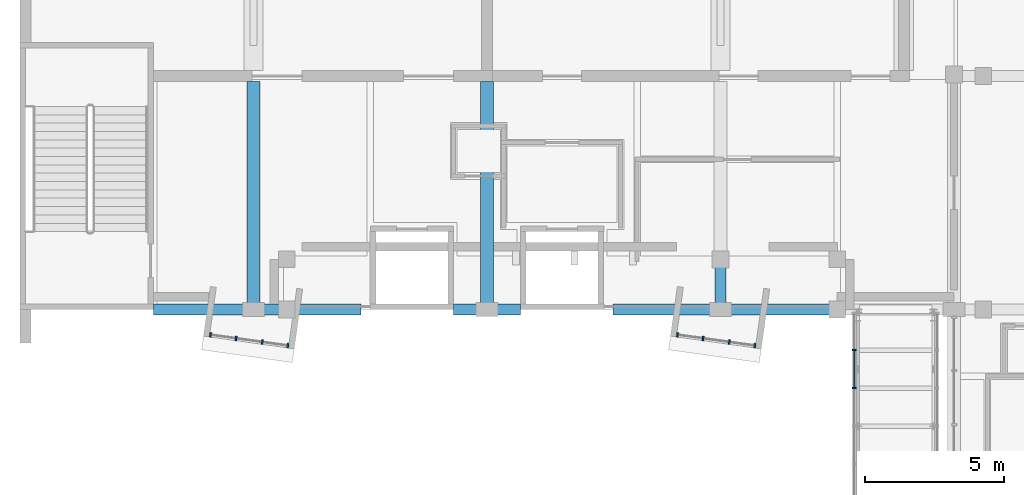
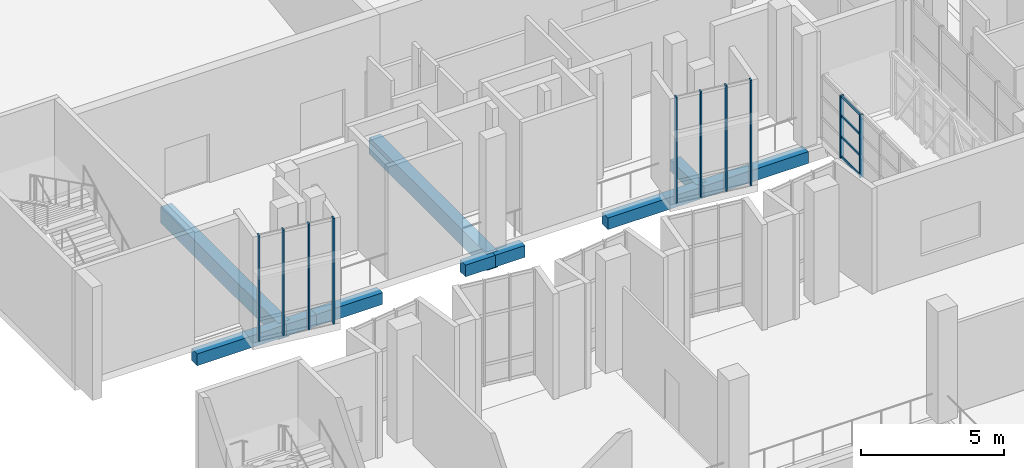
# One storey, part 10 of 86: 14 members, 10 beams, 3 elements without a shape of their own.
"""IFC4 building model written with IfcOpenShell, lengths in metres."""

from ifc_helpers import new_model, si_unit, direction, frame, origin, origin_2d, place, context, subcontext, project, spatial, rectangle, extrude, material, layer, layer_set, material_profile, profile_set, type_object, element, aggregate, save


model = new_model("IFC4")

# Units and contexts
model_context = context("Model", 3, precision=1e-05, world=origin(), true_north=direction((0.0, 1.0)))
body_context = subcontext(model_context, "Body", "Model", "MODEL_VIEW")
ifc_project = project(units=[si_unit("LENGTHUNIT", "METRE"), si_unit("AREAUNIT", "SQUARE_METRE"), si_unit("VOLUMEUNIT", "CUBIC_METRE"), si_unit("PLANEANGLEUNIT", "RADIAN"), si_unit("MASSUNIT", "GRAM", prefix="KILO")], contexts=[model_context])

# Site, building, storey
site_placement = place(None, origin())
site = spatial("IfcSite", under=ifc_project, at=site_placement, CompositionType="ELEMENT")
building_placement = place(site_placement, origin())
building = spatial("IfcBuilding", under=site, at=building_placement, Name="Kiln Court Media Centre", CompositionType="ELEMENT")
storey_placement = place(building_placement, frame((0.0, 0.0, 10.199951171875)))
storey = spatial("IfcBuildingStorey", under=building, at=storey_placement, Name="L02", CompositionType="ELEMENT", Elevation=10.199951171875)

# Curtain wall, members
ifc_material_1 = material(Name="Aluminium 6063-T6", Category="aluminium")
ifc_layer_1 = layer(ifc_material_1, 0.1201171875)
ifc_layer_set_1 = layer_set([ifc_layer_1], Name="Aluminium unitised curtain wall, bridge")
curtain_wall_type_1 = type_object("IfcCurtainWallType", Name="Aluminium unitised curtain wall, bridge", PredefinedType="USERDEFINED", material=ifc_layer_set_1)
curtain_wall_1_placement = place(storey_placement, origin())
curtain_wall_1 = element("IfcCurtainWall", 1, at=curtain_wall_1_placement, inside=storey, type_object=curtain_wall_type_1, Name="BR-1 side glazing", ObjectType="UNITISED CURTAIN WALL", PredefinedType="USERDEFINED")
ifc_material_2 = material(Name="Aluminium 6063-T6", Category="aluminium")
ifc_material_profile_1 = material_profile(ifc_material_2, rectangle(XDim=0.050048828125, YDim=0.139892578125, at=origin_2d()), Name="Aluminium hall mullion 50x140")
ifc_profile_set_1 = profile_set([ifc_material_profile_1], Name="Aluminium 6063-T6")
member_type_1 = type_object("IfcMemberType", Name="Aluminium hall mullion 50x140", PredefinedType="MULLION", material=ifc_profile_set_1)
member_1_placement = place(storey_placement, frame((30.014892578125, 30.7666015625, 0.0), z_axis=(0.0, 0.0, 1.0), x_axis=(0.0, 1.0, 0.0)))
member_1 = element("IfcMember", 2, at=member_1_placement, type_object=member_type_1, Name="CW2-63 mullion 5", PredefinedType="MULLION", context=body_context, shape_type="SweptSolid", body=[
    extrude(rectangle(XDim=0.050048828125, YDim=0.139892578125, at=origin_2d()), origin(), (0.0, 0.0, 1.0), 2.675048828125),
])
member_2_placement = place(storey_placement, frame((30.014892578125, 32.13330078125, 0.0), z_axis=(0.0, 0.0, 1.0), x_axis=(0.0, 1.0, 0.0)))
member_2 = element("IfcMember", 3, at=member_2_placement, type_object=member_type_1, Name="CW2-63 mullion 6", PredefinedType="MULLION", context=body_context, shape_type="SweptSolid", body=[
    extrude(rectangle(XDim=0.050048828125, YDim=0.139892578125, at=origin_2d()), origin(), (0.0, 0.0, 1.0), 2.675048828125),
])
ifc_material_3 = material(Name="Aluminium 6063-T6", Category="aluminium")
ifc_material_profile_2 = material_profile(ifc_material_3, rectangle(XDim=0.050048828125, YDim=0.10009765625, at=origin_2d()), Name="Aluminium hall transom 50x100")
ifc_profile_set_2 = profile_set([ifc_material_profile_2], Name="Aluminium 6063-T6")
member_type_2 = type_object("IfcMemberType", Name="Aluminium hall transom 50x100", PredefinedType="USERDEFINED", material=ifc_profile_set_2)
member_3_placement = place(storey_placement, frame((30.014892578125, 30.791748046875, 0.050048828125), z_axis=(0.0, 1.0, 0.0), x_axis=(-1.0, 0.0, 0.0)))
member_3 = element("IfcMember", 4, at=member_3_placement, type_object=member_type_2, Name="CW2-63 transom 5.1", ObjectType="TRANSOM", PredefinedType="USERDEFINED", context=body_context, shape_type="SweptSolid", body=[
    extrude(rectangle(XDim=0.050048828125, YDim=0.10009765625, at=origin_2d()), origin(), (0.0, 0.0, 1.0), 1.316650390625),
])
member_4_placement = place(storey_placement, frame((30.014892578125, 30.791748046875, 0.891845703125), z_axis=(0.0, 1.0, 0.0), x_axis=(-1.0, 0.0, 0.0)))
member_4 = element("IfcMember", 5, at=member_4_placement, type_object=member_type_2, Name="CW2-63 transom 5.2", ObjectType="TRANSOM", PredefinedType="USERDEFINED", context=body_context, shape_type="SweptSolid", body=[
    extrude(rectangle(XDim=0.050048828125, YDim=0.10009765625, at=origin_2d()), origin(), (0.0, 0.0, 1.0), 1.316650390625),
])
member_5_placement = place(storey_placement, frame((30.014892578125, 30.791748046875, 1.783447265625), z_axis=(0.0, 1.0, 0.0), x_axis=(-1.0, 0.0, 0.0)))
member_5 = element("IfcMember", 6, at=member_5_placement, type_object=member_type_2, Name="CW2-63 transom 5.3", ObjectType="TRANSOM", PredefinedType="USERDEFINED", context=body_context, shape_type="SweptSolid", body=[
    extrude(rectangle(XDim=0.050048828125, YDim=0.10009765625, at=origin_2d()), origin(), (0.0, 0.0, 1.0), 1.316650390625),
])
member_6_placement = place(storey_placement, frame((30.014892578125, 30.791748046875, 2.625), z_axis=(0.0, 1.0, 0.0), x_axis=(-1.0, 0.0, 0.0)))
member_6 = element("IfcMember", 7, at=member_6_placement, type_object=member_type_2, Name="CW2-63 transom 5.4", ObjectType="TRANSOM", PredefinedType="USERDEFINED", context=body_context, shape_type="SweptSolid", body=[
    extrude(rectangle(XDim=0.050048828125, YDim=0.10009765625, at=origin_2d()), origin(), (0.0, 0.0, 1.0), 1.316650390625),
])
aggregate(curtain_wall_1, [member_1, member_2, member_3, member_4, member_5, member_6])

ifc_material_4 = material(Name="Aluminium 6063-T6", Category="aluminium")
ifc_layer_2 = layer(ifc_material_4, 0.1201171875)
ifc_layer_set_2 = layer_set([ifc_layer_2], Name="Aluminium unitised bay curtain wall")
curtain_wall_type_2 = type_object("IfcCurtainWallType", Name="Aluminium unitised bay curtain wall", PredefinedType="USERDEFINED", material=ifc_layer_set_2)
curtain_wall_2_placement = place(storey_placement, origin())
curtain_wall_2 = element("IfcCurtainWall", 8, at=curtain_wall_2_placement, inside=storey, type_object=curtain_wall_type_2, Name="BAY V4-S-L02-10 front", ObjectType="UNITISED CURTAIN WALL", PredefinedType="USERDEFINED")
ifc_material_5 = material(Name="Aluminium 6063-T6", Category="aluminium")
ifc_material_profile_3 = material_profile(ifc_material_5, rectangle(XDim=0.06005859375, YDim=0.159912109375, at=origin_2d()), Name="Aluminium mullion 60x160")
ifc_profile_set_3 = profile_set([ifc_material_profile_3], Name="Aluminium 6063-T6")
member_type_3 = type_object("IfcMemberType", Name="Aluminium mullion 60x160", PredefinedType="MULLION", material=ifc_profile_set_3)
member_7_placement = place(storey_placement, frame((6.852783203125, 32.6865234375, 0.0), z_axis=(0.0, 0.0, 1.0), x_axis=(0.990269562409, -0.139162472554, 0.0)))
member_7 = element("IfcMember", 9, at=member_7_placement, type_object=member_type_3, Name="CW2-01 mullion 1", PredefinedType="MULLION", context=body_context, shape_type="SweptSolid", body=[
    extrude(rectangle(XDim=0.06005859375, YDim=0.159912109375, at=origin_2d()), origin(), (0.0, 0.0, 1.0), 4.5),
])
member_8_placement = place(storey_placement, frame((7.7705078125, 32.557373046875, 0.0), z_axis=(0.0, 0.0, 1.0), x_axis=(0.990269562409, -0.139162472554, 0.0)))
member_8 = element("IfcMember", 10, at=member_8_placement, type_object=member_type_3, Name="CW2-01 mullion 2", PredefinedType="MULLION", context=body_context, shape_type="SweptSolid", body=[
    extrude(rectangle(XDim=0.06005859375, YDim=0.159912109375, at=origin_2d()), origin(), (0.0, 0.0, 1.0), 4.5),
])
member_9_placement = place(storey_placement, frame((8.7177734375, 32.42431640625, 0.0), z_axis=(0.0, 0.0, 1.0), x_axis=(0.990269562409, -0.139162472554, 0.0)))
member_9 = element("IfcMember", 11, at=member_9_placement, type_object=member_type_3, Name="CW2-01 mullion 3", PredefinedType="MULLION", context=body_context, shape_type="SweptSolid", body=[
    extrude(rectangle(XDim=0.06005859375, YDim=0.159912109375, at=origin_2d()), origin(), (0.0, 0.0, 1.0), 4.5),
])
member_10_placement = place(storey_placement, frame((9.635498046875, 32.29541015625, 0.0), z_axis=(0.0, 0.0, 1.0), x_axis=(0.990269562409, -0.139162472554, 0.0)))
member_10 = element("IfcMember", 12, at=member_10_placement, type_object=member_type_3, Name="CW2-01 mullion 4", PredefinedType="MULLION", context=body_context, shape_type="SweptSolid", body=[
    extrude(rectangle(XDim=0.06005859375, YDim=0.159912109375, at=origin_2d()), origin(), (0.0, 0.0, 1.0), 4.5),
])
aggregate(curtain_wall_2, [member_7, member_8, member_9, member_10])

curtain_wall_3_placement = place(storey_placement, origin())
curtain_wall_3 = element("IfcCurtainWall", 13, at=curtain_wall_3_placement, inside=storey, type_object=curtain_wall_type_2, Name="BAY V4-S-L02-14 front", ObjectType="UNITISED CURTAIN WALL", PredefinedType="USERDEFINED")
member_11_placement = place(storey_placement, frame((23.65283203125, 32.6865234375, 0.0), z_axis=(0.0, 0.0, 1.0), x_axis=(0.990269562409, -0.139162472554, 0.0)))
member_11 = element("IfcMember", 14, at=member_11_placement, type_object=member_type_3, Name="CW2-02 mullion 1", PredefinedType="MULLION", context=body_context, shape_type="SweptSolid", body=[
    extrude(rectangle(XDim=0.06005859375, YDim=0.159912109375, at=origin_2d()), origin(), (0.0, 0.0, 1.0), 4.5),
])
member_12_placement = place(storey_placement, frame((24.570556640625, 32.557373046875, 0.0), z_axis=(0.0, 0.0, 1.0), x_axis=(0.990269562409, -0.139162472554, 0.0)))
member_12 = element("IfcMember", 15, at=member_12_placement, type_object=member_type_3, Name="CW2-02 mullion 2", PredefinedType="MULLION", context=body_context, shape_type="SweptSolid", body=[
    extrude(rectangle(XDim=0.06005859375, YDim=0.159912109375, at=origin_2d()), origin(), (0.0, 0.0, 1.0), 4.5),
])
member_13_placement = place(storey_placement, frame((25.517822265625, 32.42431640625, 0.0), z_axis=(0.0, 0.0, 1.0), x_axis=(0.990269562409, -0.139162472554, 0.0)))
member_13 = element("IfcMember", 16, at=member_13_placement, type_object=member_type_3, Name="CW2-02 mullion 3", PredefinedType="MULLION", context=body_context, shape_type="SweptSolid", body=[
    extrude(rectangle(XDim=0.06005859375, YDim=0.159912109375, at=origin_2d()), origin(), (0.0, 0.0, 1.0), 4.5),
])
member_14_placement = place(storey_placement, frame((26.435546875, 32.29541015625, 0.0), z_axis=(0.0, 0.0, 1.0), x_axis=(0.990269562409, -0.139162472554, 0.0)))
member_14 = element("IfcMember", 17, at=member_14_placement, type_object=member_type_3, Name="CW2-02 mullion 4", PredefinedType="MULLION", context=body_context, shape_type="SweptSolid", body=[
    extrude(rectangle(XDim=0.06005859375, YDim=0.159912109375, at=origin_2d()), origin(), (0.0, 0.0, 1.0), 4.5),
])
aggregate(curtain_wall_3, [member_11, member_12, member_13, member_14])

# Beams
ifc_material_6 = material(Name="Concrete C30/37", Category="concrete")
ifc_material_profile_4 = material_profile(ifc_material_6, rectangle(XDim=0.39990234375, YDim=0.5, at=origin_2d()), Name="RC 400x500")
ifc_profile_set_4 = profile_set([ifc_material_profile_4], Name="Concrete C30/37")
beam_type_1 = type_object("IfcBeamType", Name="Concrete C30/37 beam 400x500", PredefinedType="BEAM", material=ifc_profile_set_4)
beam_1_placement = place(storey_placement, frame((25.199951171875, 33.60009765625, -0.550048828125), z_axis=(0.0, 1.0, 0.0), x_axis=(-1.0, 0.0, 0.0)))
element("IfcBeam", 18, at=beam_1_placement, inside=storey, type_object=beam_type_1, Name="L02-B-1058", PredefinedType="BEAM", context=body_context, shape_type="SweptSolid", body=[
    extrude(rectangle(XDim=0.39990234375, YDim=0.5, at=origin_2d()), origin(), (0.0, 0.0, 1.0), 1.798828125),
])
beam_2_placement = place(storey_placement, frame((4.800048828125, 33.60009765625, -0.550048828125), z_axis=(1.0, 0.0, 0.0), x_axis=(0.0, 1.0, 0.0)))
element("IfcBeam", 19, at=beam_2_placement, inside=storey, type_object=beam_type_1, Name="L02-B-1063", PredefinedType="BEAM", context=body_context, shape_type="SweptSolid", body=[
    extrude(rectangle(XDim=0.39990234375, YDim=0.5, at=origin_2d()), origin(), (0.0, 0.0, 1.0), 3.599853515625),
])
beam_3_placement = place(storey_placement, frame((8.39990234375, 33.60009765625, -0.550048828125), z_axis=(1.0, 0.0, 0.0), x_axis=(0.0, 1.0, 0.0)))
element("IfcBeam", 20, at=beam_3_placement, inside=storey, type_object=beam_type_1, Name="L02-B-1064", PredefinedType="BEAM", context=body_context, shape_type="SweptSolid", body=[
    extrude(rectangle(XDim=0.39990234375, YDim=0.5, at=origin_2d()), origin(), (0.0, 0.0, 1.0), 1.201171875),
])
beam_4_placement = place(storey_placement, frame((9.60107421875, 33.60009765625, -0.550048828125), z_axis=(1.0, 0.0, 0.0), x_axis=(0.0, 1.0, 0.0)))
element("IfcBeam", 21, at=beam_4_placement, inside=storey, type_object=beam_type_1, Name="L02-B-1065", PredefinedType="BEAM", context=body_context, shape_type="SweptSolid", body=[
    extrude(rectangle(XDim=0.39990234375, YDim=0.5, at=origin_2d()), origin(), (0.0, 0.0, 1.0), 2.6650390625),
])
for number, where, z_axis, x_axis, name in (
    (22, (15.60009765625, 33.60009765625, -0.550048828125), (1.0, 0.0, 0.0), (0.0, 1.0, 0.0), "L02-B-1066"),
    (23, (16.800048828125, 33.60009765625, -0.550048828125), (1.0, 0.0, 0.0), (0.0, 1.0, 0.0), "L02-B-1067"),
):
    element("IfcBeam", number, at=place(storey_placement, frame(where, z_axis=z_axis, x_axis=x_axis)), inside=storey, type_object=beam_type_1, Name=name, PredefinedType="BEAM", context=body_context, shape_type="SweptSolid", body=[
        extrude(rectangle(XDim=0.39990234375, YDim=0.5, at=origin_2d()), origin(), (0.0, 0.0, 1.0), 1.199951171875),
    ])
beam_5_placement = place(storey_placement, frame((21.333984375, 33.60009765625, -0.550048828125), z_axis=(1.0, 0.0, 0.0), x_axis=(0.0, 1.0, 0.0)))
element("IfcBeam", 24, at=beam_5_placement, inside=storey, type_object=beam_type_1, Name="L02-B-1068", PredefinedType="BEAM", context=body_context, shape_type="SweptSolid", body=[
    extrude(rectangle(XDim=0.39990234375, YDim=0.5, at=origin_2d()), origin(), (0.0, 0.0, 1.0), 3.865966796875),
])
beam_6_placement = place(storey_placement, frame((25.199951171875, 33.60009765625, -0.550048828125), z_axis=(1.0, 0.0, 0.0), x_axis=(0.0, 1.0, 0.0)))
element("IfcBeam", 25, at=beam_6_placement, inside=storey, type_object=beam_type_1, Name="L02-B-1069", PredefinedType="BEAM", context=body_context, shape_type="SweptSolid", body=[
    extrude(rectangle(XDim=0.39990234375, YDim=0.5, at=origin_2d()), origin(), (0.0, 0.0, 1.0), 4.198974609375),
])
ifc_material_7 = material(Name="Concrete C30/37", Category="concrete")
ifc_material_profile_5 = material_profile(ifc_material_7, rectangle(XDim=0.449951171875, YDim=0.699951171875, at=origin_2d()), Name="RC 450x700")
ifc_profile_set_5 = profile_set([ifc_material_profile_5], Name="Concrete C30/37")
beam_type_2 = type_object("IfcBeamType", Name="Concrete C30/37 beam 450x700", PredefinedType="BEAM", material=ifc_profile_set_5)
for number, where, z_axis, x_axis, name in (
    (26, (8.39990234375, 33.60009765625, -0.64990234375), (0.0, 1.0, 0.0), (-1.0, 0.0, 0.0), "L02-B-1053"),
    (27, (16.800048828125, 33.60009765625, -0.64990234375), (0.0, 1.0, 0.0), (-1.0, 0.0, 0.0), "L02-B-1056"),
):
    element("IfcBeam", number, at=place(storey_placement, frame(where, z_axis=z_axis, x_axis=x_axis)), inside=storey, type_object=beam_type_2, Name=name, PredefinedType="BEAM", context=body_context, shape_type="SweptSolid", body=[
        extrude(rectangle(XDim=0.449951171875, YDim=0.699951171875, at=origin_2d()), origin(), (0.0, 0.0, 1.0), 8.199951171875),
    ])

save(model, "model.ifc")
